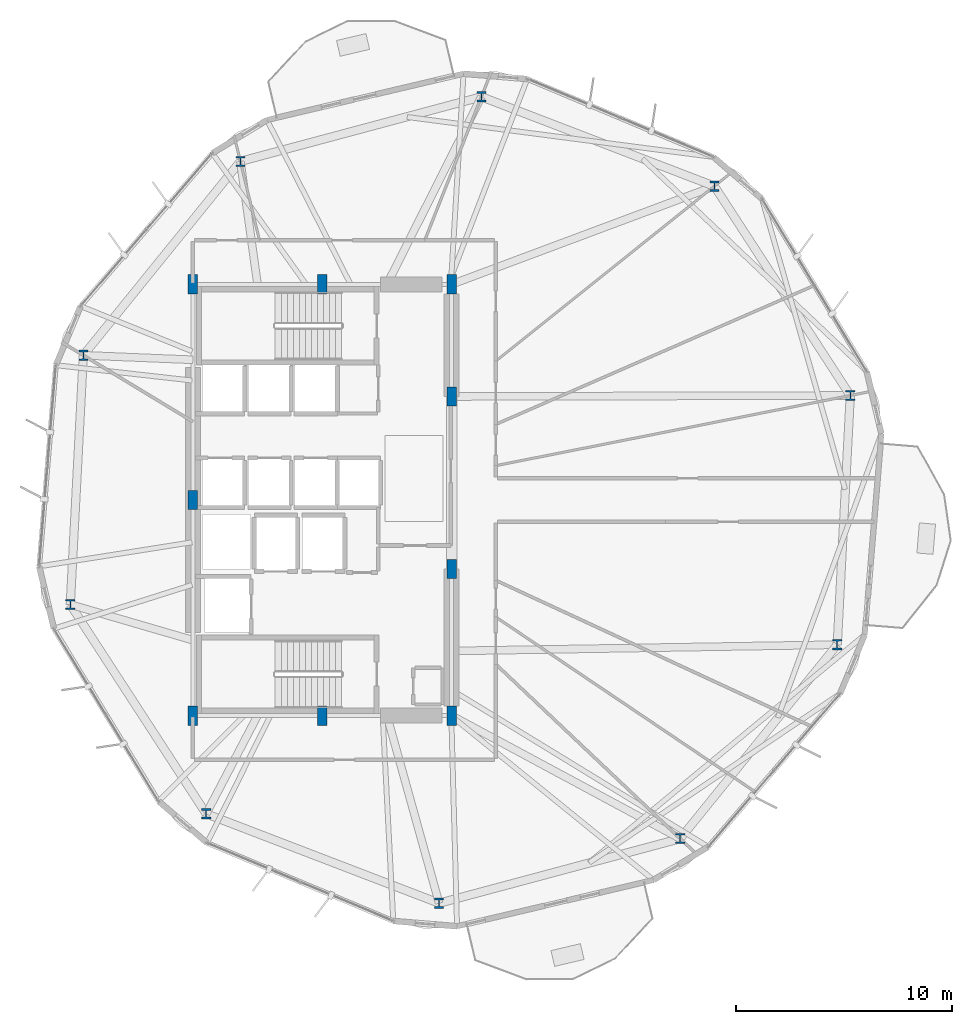
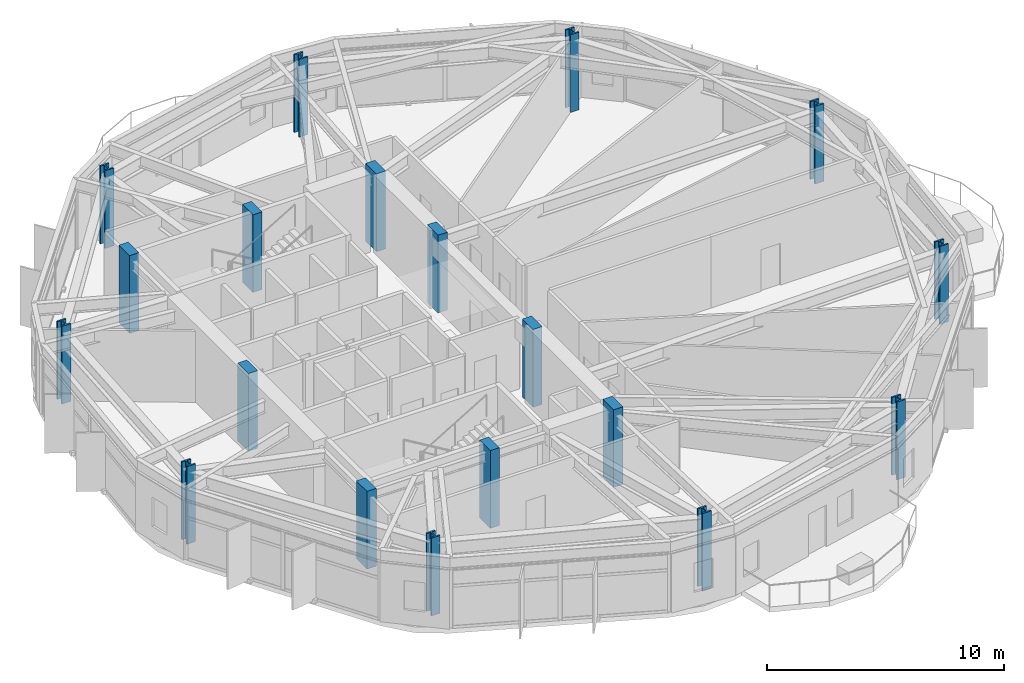
# One storey, part 1 of 21: 19 columns.
"""IFC4 building model written with IfcOpenShell, lengths in metres."""

from ifc_helpers import new_model, si_unit, direction, frame, origin, origin_2d, place, context, subcontext, project, spatial, rectangle, i_section, extrude, material, material_profile, profile_set, type_object, element, save


model = new_model("IFC4")

# Units and contexts
model_context = context("Model", 3, precision=1e-05, world=origin(), true_north=direction((0.0, 1.0)))
body_context = subcontext(model_context, "Body", "Model", "MODEL_VIEW")
ifc_project = project(units=[si_unit("LENGTHUNIT", "METRE"), si_unit("AREAUNIT", "SQUARE_METRE"), si_unit("VOLUMEUNIT", "CUBIC_METRE"), si_unit("PLANEANGLEUNIT", "RADIAN"), si_unit("MASSUNIT", "GRAM", prefix="KILO")], contexts=[model_context])

# Site, building, storey
site_placement = place(None, origin())
site = spatial("IfcSite", under=ifc_project, at=site_placement, CompositionType="ELEMENT")
building_placement = place(site_placement, origin())
building = spatial("IfcBuilding", under=site, at=building_placement, Name="Soratama Intermodal Tower", CompositionType="ELEMENT")
storey_placement = place(building_placement, frame((0.0, 0.0, 78.60009765625)))
storey = spatial("IfcBuildingStorey", under=building, at=storey_placement, Name="L18", CompositionType="ELEMENT", Elevation=78.60009765625)

# Columns
ifc_material_1 = material(Name="Structural steel ASTM A992 Grade 50", Category="steel")
ifc_material_profile_1 = material_profile(ifc_material_1, i_section(OverallWidth=0.424072265625, OverallDepth=0.47412109375, WebThickness=0.047607421875, FlangeThickness=0.0771484375, FilletRadius=0.0380859375, at=origin_2d()), Name="W14X426")
ifc_profile_set_1 = profile_set([ifc_material_profile_1], Name="Structural steel ASTM A992 Grade 50")
column_type_1 = type_object("IfcColumnType", Name="COL-ZA-W14X426", PredefinedType="COLUMN", material=ifc_profile_set_1)
for number, where, z_axis, x_axis, name in (
    (1, (63.08203125, 29.84521484375, 0.0), (0.0, 0.0, 1.0), (1.0, 0.0, 0.0), "L18 Tower Ring Column R01"),
    (2, (56.781005859375, 39.548095703125, 0.0), (0.0, 0.0, 1.0), (1.0, 0.0, 0.0), "L18 Tower Ring Column R02"),
    (3, (45.979736328125, 43.6943359375, 0.0), (0.0, 0.0, 1.0), (1.0, 0.0, 0.0), "L18 Tower Ring Column R03"),
    (4, (34.804443359375, 40.699951171875, 0.0), (0.0, 0.0, 1.0), (1.0, 0.0, 0.0), "L18 Tower Ring Column R04"),
    (5, (27.5234375, 31.70849609375, 0.0), (0.0, 0.0, 1.0), (1.0, 0.0, 0.0), "L18 Tower Ring Column R05"),
    (6, (26.91796875, 20.15478515625, 0.0), (0.0, 0.0, 1.0), (1.0, 0.0, 0.0), "L18 Tower Ring Column R06"),
    (7, (33.218994140625, 10.451904296875, 0.0), (0.0, 0.0, 1.0), (1.0, 0.0, 0.0), "L18 Tower Ring Column R07"),
    (8, (44.020263671875, 6.3056640625, 0.0), (0.0, 0.0, 1.0), (1.0, 0.0, 0.0), "L18 Tower Ring Column R08"),
    (9, (55.195556640625, 9.300048828125, 0.0), (0.0, 0.0, 1.0), (1.0, 0.0, 0.0), "L18 Tower Ring Column R09"),
    (10, (62.4765625, 18.29150390625, 0.0), (0.0, 0.0, 1.0), (1.0, 0.0, 0.0), "L18 Tower Ring Column R10"),
):
    element("IfcColumn", number, at=place(storey_placement, frame(where, z_axis=z_axis, x_axis=x_axis)), inside=storey, type_object=column_type_1, Name=name, PredefinedType="COLUMN", context=body_context, shape_type="SweptSolid", body=[
        extrude(i_section(OverallWidth=0.424072265625, OverallDepth=0.47412109375, WebThickness=0.047607421875, FlangeThickness=0.0771484375, FilletRadius=0.0380859375, at=origin_2d()), origin(), (0.0, 0.0, 1.0), 4.0),
    ])
ifc_material_2 = material(Name="Concrete f'c 56 MPa", Category="concrete")
ifc_material_profile_2 = material_profile(ifc_material_2, rectangle(XDim=0.449951171875, YDim=0.89990234375, at=origin_2d()), Name="RC450X900")
ifc_profile_set_2 = profile_set([ifc_material_profile_2], Name="Concrete f'c 56 MPa")
column_type_2 = type_object("IfcColumnType", Name="PIL-CORE-450X900", PredefinedType="PILASTER", material=ifc_profile_set_2)
for number, where, z_axis, x_axis, name in (
    (11, (32.60009765625, 15.0, 0.0), (0.0, 0.0, 1.0), (1.0, 0.0, 0.0), "L18 Core Pilaster 1"),
    (12, (32.60009765625, 25.0, 0.0), (0.0, 0.0, 1.0), (1.0, 0.0, 0.0), "L18 Core Pilaster 2"),
    (13, (32.60009765625, 35.0, 0.0), (0.0, 0.0, 1.0), (1.0, 0.0, 0.0), "L18 Core Pilaster 3"),
    (14, (38.60009765625, 15.0, 0.0), (0.0, 0.0, 1.0), (1.0, 0.0, 0.0), "L18 Core Pilaster 4"),
    (15, (38.60009765625, 35.0, 0.0), (0.0, 0.0, 1.0), (1.0, 0.0, 0.0), "L18 Core Pilaster 5"),
    (16, (44.60009765625, 15.0, 0.0), (0.0, 0.0, 1.0), (1.0, 0.0, 0.0), "L18 Core Pilaster 6"),
    (17, (44.60009765625, 21.800048828125, 0.0), (0.0, 0.0, 1.0), (1.0, 0.0, 0.0), "L18 Core Pilaster 7"),
    (18, (44.60009765625, 29.800048828125, 0.0), (0.0, 0.0, 1.0), (1.0, 0.0, 0.0), "L18 Core Pilaster 8"),
    (19, (44.60009765625, 35.0, 0.0), (0.0, 0.0, 1.0), (1.0, 0.0, 0.0), "L18 Core Pilaster 9"),
):
    element("IfcColumn", number, at=place(storey_placement, frame(where, z_axis=z_axis, x_axis=x_axis)), inside=storey, type_object=column_type_2, Name=name, PredefinedType="PILASTER", context=body_context, shape_type="SweptSolid", body=[
        extrude(rectangle(XDim=0.449951171875, YDim=0.89990234375, at=origin_2d()), origin(), (0.0, 0.0, 1.0), 4.0),
    ])

save(model, "model.ifc")
